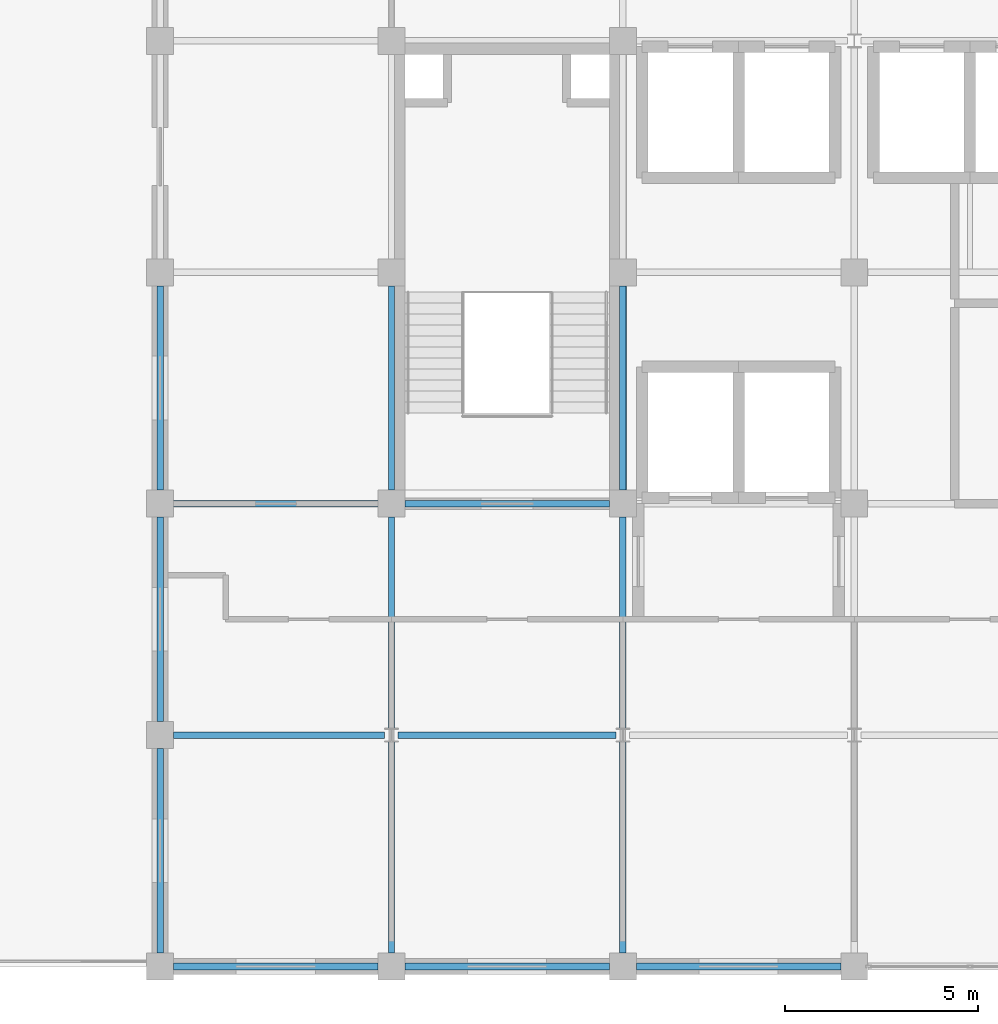
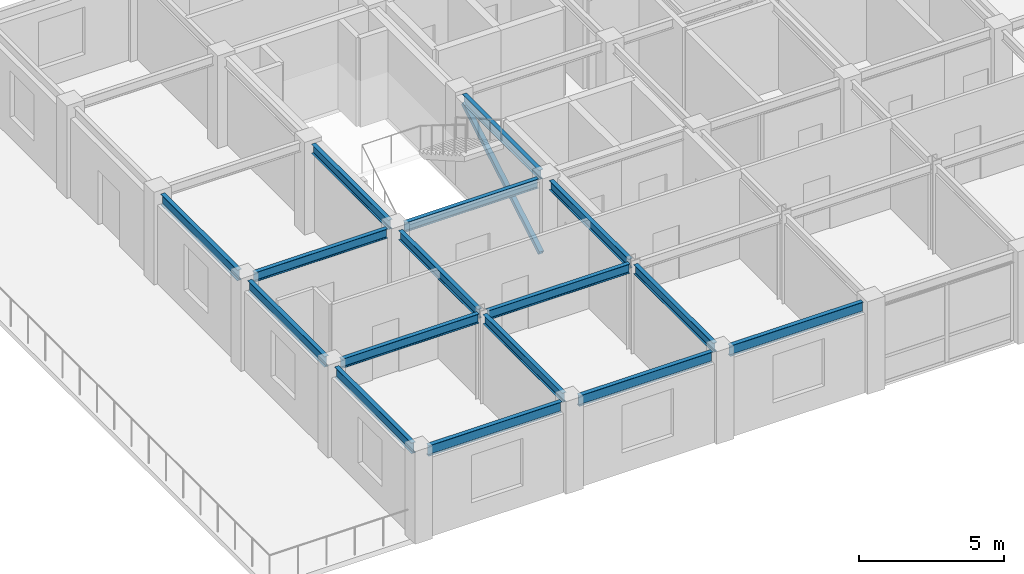
# One storey, part 3 of 15: 16 beams, 1 member.
"""IFC4 building model written with IfcOpenShell, lengths in metres."""

from ifc_helpers import new_model, si_unit, direction, frame, origin, origin_2d, place, context, subcontext, project, spatial, hollow_rectangle, i_section, extrude, material, material_profile, profile_set, type_object, element, save


model = new_model("IFC4")

# Units and contexts
model_context = context("Model", 3, precision=1e-05, world=origin(), true_north=direction((0.0, 1.0)))
body_context = subcontext(model_context, "Body", "Model", "MODEL_VIEW")
ifc_project = project(units=[si_unit("LENGTHUNIT", "METRE"), si_unit("AREAUNIT", "SQUARE_METRE"), si_unit("VOLUMEUNIT", "CUBIC_METRE"), si_unit("PLANEANGLEUNIT", "RADIAN"), si_unit("MASSUNIT", "GRAM", prefix="KILO")], contexts=[model_context])

# Site, building, storey
site_placement = place(None, origin())
site = spatial("IfcSite", under=ifc_project, at=site_placement, CompositionType="ELEMENT")
building_placement = place(site_placement, origin())
building = spatial("IfcBuilding", under=site, at=building_placement, Name="Zlatovratsky Civic Hall", CompositionType="ELEMENT")
storey_placement = place(building_placement, frame((0.0, 0.0, 36.60009765625)))
storey = spatial("IfcBuildingStorey", under=building, at=storey_placement, Name="L09", CompositionType="ELEMENT", Elevation=36.60009765625)

# Beams
ifc_material = material(Name="Steel S355", Category="steel")
ifc_material_profile_1 = material_profile(ifc_material, i_section(OverallWidth=0.169921875, OverallDepth=0.446044921875, WebThickness=0.007568359375, FlangeThickness=0.010986328125, FilletRadius=0.01611328125, at=origin_2d()), Name="45B1")
ifc_profile_set_1 = profile_set([ifc_material_profile_1], Name="Steel S355")
beam_type_1 = type_object("IfcBeamType", Name="Beam_Spandrel_45B1", PredefinedType="SPANDREL", material=ifc_profile_set_1)
for number, where, z_axis, x_axis, name in (
    (1, (60.35009765625, 72.0, 3.516845703125), (1.0, 0.0, 0.0), (0.0, 1.0, 0.0), "BM-4517"),
    (2, (66.35009765625, 72.0, 3.516845703125), (1.0, 0.0, 0.0), (0.0, 1.0, 0.0), "BM-4518"),
    (3, (72.35009765625, 72.0, 3.516845703125), (1.0, 0.0, 0.0), (0.0, 1.0, 0.0), "BM-4519"),
    (4, (60.0, 72.35009765625, 3.516845703125), (0.0, 1.0, 0.0), (-1.0, 0.0, 0.0), "BM-4563"),
    (5, (60.0, 78.35009765625, 3.516845703125), (0.0, 1.0, 0.0), (-1.0, 0.0, 0.0), "BM-4564"),
    (6, (60.0, 84.35009765625, 3.516845703125), (0.0, 1.0, 0.0), (-1.0, 0.0, 0.0), "BM-4565"),
):
    element("IfcBeam", number, at=place(storey_placement, frame(where, z_axis=z_axis, x_axis=x_axis)), inside=storey, type_object=beam_type_1, Name=name, PredefinedType="SPANDREL", context=body_context, shape_type="SweptSolid", body=[
        extrude(i_section(OverallWidth=0.169921875, OverallDepth=0.446044921875, WebThickness=0.007568359375, FlangeThickness=0.010986328125, FilletRadius=0.01611328125, at=origin_2d()), origin(), (0.0, 0.0, 1.0), 5.2998046875),
    ])
ifc_material_profile_2 = material_profile(ifc_material, i_section(OverallWidth=0.1650390625, OverallDepth=0.39208984375, WebThickness=0.006591796875, FlangeThickness=0.009521484375, FilletRadius=0.014892578125, at=origin_2d()), Name="40B1")
ifc_profile_set_2 = profile_set([ifc_material_profile_2], Name="Steel S355")
beam_type_2 = type_object("IfcBeamType", Name="Beam_Tie_40B1", PredefinedType="BEAM", material=ifc_profile_set_2)
beam_1_placement = place(storey_placement, frame((60.35009765625, 78.0, 3.5439453125), z_axis=(1.0, 0.0, 0.0), x_axis=(0.0, 1.0, 0.0)))
element("IfcBeam", 7, at=beam_1_placement, inside=storey, type_object=beam_type_2, Name="BM-4525", PredefinedType="BEAM", context=body_context, shape_type="SweptSolid", body=[
    extrude(i_section(OverallWidth=0.1650390625, OverallDepth=0.39208984375, WebThickness=0.006591796875, FlangeThickness=0.009521484375, FilletRadius=0.014892578125, at=origin_2d()), origin(), (0.0, 0.0, 1.0), 5.474853515625),
])
beam_2_placement = place(storey_placement, frame((66.175048828125, 78.0, 3.5439453125), z_axis=(1.0, 0.0, 0.0), x_axis=(0.0, 1.0, 0.0)))
element("IfcBeam", 8, at=beam_2_placement, inside=storey, type_object=beam_type_2, Name="BM-4526", PredefinedType="BEAM", context=body_context, shape_type="SweptSolid", body=[
    extrude(i_section(OverallWidth=0.1650390625, OverallDepth=0.39208984375, WebThickness=0.006591796875, FlangeThickness=0.009521484375, FilletRadius=0.014892578125, at=origin_2d()), origin(), (0.0, 0.0, 1.0), 5.64990234375),
])
for number, where, z_axis, x_axis, name in (
    (9, (60.35009765625, 84.0, 3.5439453125), (1.0, 0.0, 0.0), (0.0, 1.0, 0.0), "BM-4533"),
    (10, (66.35009765625, 84.0, 3.5439453125), (1.0, 0.0, 0.0), (0.0, 1.0, 0.0), "BM-4534"),
):
    element("IfcBeam", number, at=place(storey_placement, frame(where, z_axis=z_axis, x_axis=x_axis)), inside=storey, type_object=beam_type_2, Name=name, PredefinedType="BEAM", context=body_context, shape_type="SweptSolid", body=[
        extrude(i_section(OverallWidth=0.1650390625, OverallDepth=0.39208984375, WebThickness=0.006591796875, FlangeThickness=0.009521484375, FilletRadius=0.014892578125, at=origin_2d()), origin(), (0.0, 0.0, 1.0), 5.2998046875),
    ])
for number, where, z_axis, x_axis, name in (
    (11, (66.0, 72.35009765625, 3.5439453125), (0.0, 1.0, 0.0), (-1.0, 0.0, 0.0), "BM-4568"),
    (12, (66.0, 78.175048828125, 3.5439453125), (0.0, 1.0, 0.0), (-1.0, 0.0, 0.0), "BM-4569"),
):
    element("IfcBeam", number, at=place(storey_placement, frame(where, z_axis=z_axis, x_axis=x_axis)), inside=storey, type_object=beam_type_2, Name=name, PredefinedType="BEAM", context=body_context, shape_type="SweptSolid", body=[
        extrude(i_section(OverallWidth=0.1650390625, OverallDepth=0.39208984375, WebThickness=0.006591796875, FlangeThickness=0.009521484375, FilletRadius=0.014892578125, at=origin_2d()), origin(), (0.0, 0.0, 1.0), 5.474853515625),
    ])
beam_3_placement = place(storey_placement, frame((66.0, 84.35009765625, 3.5439453125), z_axis=(0.0, 1.0, 0.0), x_axis=(-1.0, 0.0, 0.0)))
element("IfcBeam", 13, at=beam_3_placement, inside=storey, type_object=beam_type_2, Name="BM-4570", PredefinedType="BEAM", context=body_context, shape_type="SweptSolid", body=[
    extrude(i_section(OverallWidth=0.1650390625, OverallDepth=0.39208984375, WebThickness=0.006591796875, FlangeThickness=0.009521484375, FilletRadius=0.014892578125, at=origin_2d()), origin(), (0.0, 0.0, 1.0), 5.2998046875),
])
for number, where, z_axis, x_axis, name in (
    (14, (72.0, 72.35009765625, 3.5439453125), (0.0, 1.0, 0.0), (-1.0, 0.0, 0.0), "BM-4573"),
    (15, (72.0, 78.175048828125, 3.5439453125), (0.0, 1.0, 0.0), (-1.0, 0.0, 0.0), "BM-4574"),
):
    element("IfcBeam", number, at=place(storey_placement, frame(where, z_axis=z_axis, x_axis=x_axis)), inside=storey, type_object=beam_type_2, Name=name, PredefinedType="BEAM", context=body_context, shape_type="SweptSolid", body=[
        extrude(i_section(OverallWidth=0.1650390625, OverallDepth=0.39208984375, WebThickness=0.006591796875, FlangeThickness=0.009521484375, FilletRadius=0.014892578125, at=origin_2d()), origin(), (0.0, 0.0, 1.0), 5.474853515625),
    ])
beam_4_placement = place(storey_placement, frame((72.0, 84.35009765625, 3.5439453125), z_axis=(0.0, 1.0, 0.0), x_axis=(-1.0, 0.0, 0.0)))
element("IfcBeam", 16, at=beam_4_placement, inside=storey, type_object=beam_type_2, Name="BM-4575", PredefinedType="BEAM", context=body_context, shape_type="SweptSolid", body=[
    extrude(i_section(OverallWidth=0.1650390625, OverallDepth=0.39208984375, WebThickness=0.006591796875, FlangeThickness=0.009521484375, FilletRadius=0.014892578125, at=origin_2d()), origin(), (0.0, 0.0, 1.0), 5.2998046875),
])

# Member
ifc_material_profile_3 = material_profile(ifc_material, hollow_rectangle(XDim=0.179931640625, YDim=0.179931640625, WallThickness=0.008056640625, at=origin_2d()), Name="SHS 180x180x8")
ifc_profile_set_3 = profile_set([ifc_material_profile_3], Name="Steel S355")
member_type = type_object("IfcMemberType", Name="Brace_TowerMid_SHS180", PredefinedType="BRACE", material=ifc_profile_set_3)
member_placement = place(storey_placement, frame((72.0, 84.35009765625, 0.25), z_axis=(0.0, 0.863189891905, 0.504879401949), x_axis=(-1.0, 0.0, 0.0)))
element("IfcMember", 17, at=member_placement, inside=storey, type_object=member_type, Name="MB-0140", PredefinedType="BRACE", context=body_context, shape_type="SweptSolid", body=[
    extrude(hollow_rectangle(XDim=0.179931640625, YDim=0.179931640625, WallThickness=0.008056640625, at=origin_2d()), origin(), (0.0, 0.0, 1.0), 6.139892578125),
])

save(model, "model.ifc")
